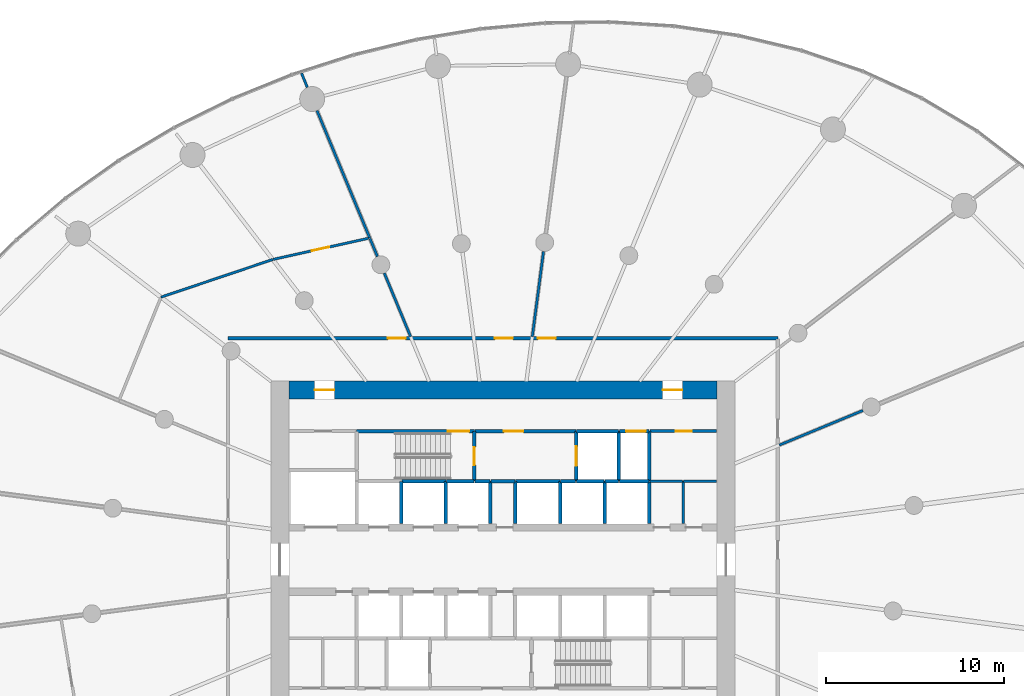
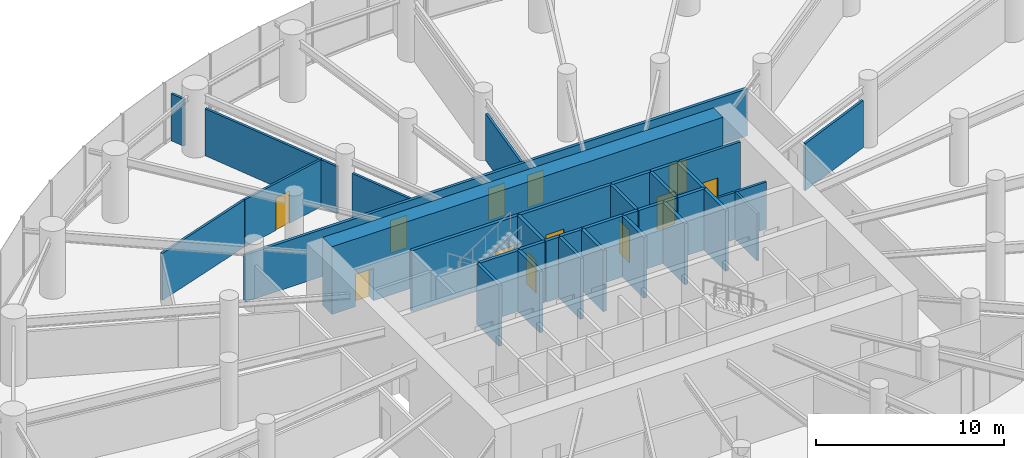
# One storey, part 14 of 18: 38 walls, 12 doors, 12 openings.
"""IFC4 building model written with IfcOpenShell, lengths in metres."""

import ifcopenshell
import ifcopenshell.guid

model = None  # the IFC model being written
_history = None  # IfcOwnerHistory: only IFC2X3 demands one
_inside = {}  # id of a spatial element -> (the spatial element, [elements in it])
_under = {}  # id of a project, library or spatial element -> (it, [spatial elements below it])
_declared = {}  # id of a project -> (the project, [libraries it declares])
_typed = {}  # id of a type object -> (the type object, [elements of that type])
_made_of = {}  # id of a material, layer set ... -> (it, [elements and type objects made of it])


def new_model(schema):
    """Start an empty IFC model of exactly this schema.

    Asked for "IFC4X3", IfcOpenShell would pick the latest addendum, in which some entities
    have other attributes; the version numbers below select the first issue.
    IFC2X3 requires an IfcOwnerHistory on every rooted entity: one is made here for all.
    """
    global model, _history
    if schema == "IFC4X3":
        model = ifcopenshell.file(schema_version=(4, 3, 0, 0))
    else:
        model = ifcopenshell.file(schema=schema)
    _inside.clear()
    _under.clear()
    _declared.clear()
    _typed.clear()
    _made_of.clear()
    _history = None
    if model.schema == "IFC2X3":
        org = make("IfcOrganization", Name="unknown")
        user = make(
            "IfcPersonAndOrganization",
            ThePerson=make("IfcPerson", FamilyName="unknown"),
            TheOrganization=org,
        )
        app = make(
            "IfcApplication",
            ApplicationDeveloper=org,
            Version="unknown",
            ApplicationFullName="unknown",
            ApplicationIdentifier="unknown",
        )
        _history = make(
            "IfcOwnerHistory",
            OwningUser=user,
            OwningApplication=app,
            ChangeAction="ADDED",
            CreationDate=0,
        )
    return model


def make(cls, **values):
    """One entity of the class cls with the attributes given. An attribute that is None is left unset."""
    return model.create_entity(
        cls, **{name: value for name, value in values.items() if value is not None}
    )


def rooted(cls, **values):
    """An entity with a GlobalId (a new one), such as an element, a storey or a relation."""
    return make(cls, GlobalId=ifcopenshell.guid.new(), OwnerHistory=_history, **values)


def si_unit(unit_type, name, prefix=None):
    """IfcSIUnit, for example si_unit("LENGTHUNIT", "METRE", prefix="MILLI")."""
    return make("IfcSIUnit", UnitType=unit_type, Prefix=prefix, Name=name)


def assignment(units):
    """IfcUnitAssignment: the units of a project."""
    return None if units is None else make("IfcUnitAssignment", Units=units)


def point(xyz):
    """IfcCartesianPoint."""
    return None if xyz is None else make("IfcCartesianPoint", Coordinates=xyz)


def direction(xyz):
    """IfcDirection."""
    return None if xyz is None else make("IfcDirection", DirectionRatios=xyz)


def frame(location, z_axis=None, x_axis=None):
    """IfcAxis2Placement3D, a coordinate frame: its origin and axes. An axis left out is left unset."""
    return make(
        "IfcAxis2Placement3D",
        Location=point(location),
        Axis=direction(z_axis),
        RefDirection=direction(x_axis),
    )


def frame_2d(location, x_axis=None):
    """IfcAxis2Placement2D, a coordinate frame in the plane: its origin and x axis."""
    return make(
        "IfcAxis2Placement2D", Location=point(location), RefDirection=direction(x_axis)
    )


def origin():
    """The frame at (0, 0, 0) with its axes left unset."""
    return frame((0.0, 0.0, 0.0))


def place(relative_to, where):
    """IfcLocalPlacement: puts the frame where relative to a parent placement (None: the world)."""
    return make(
        "IfcLocalPlacement", PlacementRelTo=relative_to, RelativePlacement=where
    )


def context(
    kind, dimensions, precision=None, world=None, true_north=None, identifier=None
):
    """IfcGeometricRepresentationContext, for example the 3D "Model" context."""
    return make(
        "IfcGeometricRepresentationContext",
        ContextIdentifier=identifier,
        ContextType=kind,
        CoordinateSpaceDimension=dimensions,
        Precision=precision,
        WorldCoordinateSystem=world,
        TrueNorth=true_north,
    )


def subcontext(parent, identifier, kind, view, scale=None):
    """IfcGeometricRepresentationSubContext, for example "Body" below "Model"."""
    return make(
        "IfcGeometricRepresentationSubContext",
        ContextIdentifier=identifier,
        ContextType=kind,
        ParentContext=parent,
        TargetScale=scale,
        TargetView=view,
    )


def project(units=None, contexts=None):
    """IfcProject with its units and contexts."""
    return rooted(
        "IfcProject",
        Name="project",
        RepresentationContexts=contexts,
        UnitsInContext=assignment(units),
    )


def spatial(cls, under=None, at=None, **own):
    """A site, building, storey or space (cls), placed at a placement, below another one or the project."""
    s = rooted(cls, ObjectPlacement=at, **own)
    if under is not None:
        _under.setdefault(under.id(), (under, []))[1].append(s)
    return s


def profile(cls, at=None, kind="AREA", **sizes):
    """A parametric profile (cls). Its sizes go by their IFC names, for example OverallWidth=200.0."""
    return make(cls, ProfileType=kind, Position=at, **sizes)


def rectangle(**sizes):
    """IfcRectangleProfileDef."""
    return profile("IfcRectangleProfileDef", **sizes)


def extrude(swept, where, along, depth):
    """IfcExtrudedAreaSolid: the profile swept, set in the frame where, extruded along a direction by depth."""
    return make(
        "IfcExtrudedAreaSolid",
        SweptArea=swept,
        Position=where,
        ExtrudedDirection=direction(along),
        Depth=depth,
    )


def shape(context_of_items, identifier, shape_type, items):
    """IfcShapeRepresentation: the items that make up one representation, for example the "Body"."""
    return make(
        "IfcShapeRepresentation",
        ContextOfItems=context_of_items,
        RepresentationIdentifier=identifier,
        RepresentationType=shape_type,
        Items=items,
    )


def source(mapping_origin, context_of_items, identifier, shape_type, items):
    """IfcRepresentationMap: a shape defined once, which mapped items show again and again."""
    return make(
        "IfcRepresentationMap",
        MappingOrigin=mapping_origin,
        MappedRepresentation=shape(context_of_items, identifier, shape_type, items),
    )


def transform(
    local_origin,
    x_axis=None,
    y_axis=None,
    z_axis=None,
    scale=None,
    scale2=None,
    scale3=None,
    uniform=True,
):
    """IfcCartesianTransformationOperator3D, or its non-uniform kind. x_axis, y_axis, z_axis: its Axis1, 2, 3."""
    if uniform:
        return make(
            "IfcCartesianTransformationOperator3D",
            Axis1=direction(x_axis),
            Axis2=direction(y_axis),
            LocalOrigin=point(local_origin),
            Scale=scale,
            Axis3=direction(z_axis),
        )
    return make(
        "IfcCartesianTransformationOperator3DnonUniform",
        Axis1=direction(x_axis),
        Axis2=direction(y_axis),
        LocalOrigin=point(local_origin),
        Scale=scale,
        Axis3=direction(z_axis),
        Scale2=scale2,
        Scale3=scale3,
    )


def mapped(mapping_source, mapping_target):
    """IfcMappedItem: shows the shape of a source again, moved by a transform."""
    return make(
        "IfcMappedItem", MappingSource=mapping_source, MappingTarget=mapping_target
    )


def material(Name=None, Category=None):
    """IfcMaterial."""
    return make("IfcMaterial", Name=Name, Category=Category)


def layer(
    of_material, thickness, ventilated=None, Name=None, Category=None, Priority=None
):
    """IfcMaterialLayer: one layer of a wall or slab, of a material (None: an air gap)."""
    return make(
        "IfcMaterialLayer",
        Material=of_material,
        LayerThickness=thickness,
        IsVentilated=ventilated,
        Name=Name,
        Category=Category,
        Priority=Priority,
    )


def layer_set(layers, Name=None):
    """IfcMaterialLayerSet."""
    return make("IfcMaterialLayerSet", MaterialLayers=layers, LayerSetName=Name)


def made_of(thing, what):
    """Note that an element or type object is made of a material, layer set ...; save() writes the relation."""
    if what is not None:
        _made_of.setdefault(what.id(), (what, []))[1].append(thing)
    return thing


def type_object(cls, material=None, **own):
    """A type object (cls), such as IfcWallType, which elements share."""
    return made_of(rooted(cls, **own), material)


def element(
    cls,
    number,
    at=None,
    inside=None,
    cuts=None,
    type_object=None,
    material=None,
    context=None,
    identifier="Body",
    shape_type=None,
    held_by="IfcProductDefinitionShape",
    body=None,
    shapes=None,
    **own,
):
    """One element of the class cls, such as IfcWall. Its Tag is "e" and its number.

    at: its placement. inside: the storey or other place that contains it. cuts: it is an
    opening in that element (IfcRelVoidsElement). A single representation is given by context,
    identifier, shape_type and body (its items); several are given by shapes. held_by: the class
    of the entity that holds the representations. save() writes the other relations.
    """
    e = rooted(cls, Tag="e%d" % number, ObjectPlacement=at, **own)
    if body is not None:
        shapes = [shape(context, identifier, shape_type, body)]
    if shapes is not None:
        e.Representation = make(held_by, Representations=shapes)
    if inside is not None:
        _inside.setdefault(inside.id(), (inside, []))[1].append(e)
    if cuts is not None:
        rooted(
            "IfcRelVoidsElement", RelatingBuildingElement=cuts, RelatedOpeningElement=e
        )
    if type_object is not None:
        _typed.setdefault(type_object.id(), (type_object, []))[1].append(e)
    return made_of(e, material)


def fill(opening, filler):
    """IfcRelFillsElement: the door or window that sits in an opening."""
    return rooted(
        "IfcRelFillsElement",
        RelatingOpeningElement=opening,
        RelatedBuildingElement=filler,
    )


def aggregate(whole, parts):
    """IfcRelAggregates: a whole, such as a stair, and the parts it consists of."""
    return rooted("IfcRelAggregates", RelatingObject=whole, RelatedObjects=parts)


def save(model, path):
    """Write the relations noted so far, then the file.

    IfcRelAggregates (storeys below a building ...), IfcRelContainedInSpatialStructure (elements
    in a storey), IfcRelDefinesByType, IfcRelAssociatesMaterial and IfcRelDeclares: one each for
    every whole, place, type object, material and project.
    """
    for whole, parts in _under.values():
        aggregate(whole, parts)
    for where, things in _inside.values():
        rooted(
            "IfcRelContainedInSpatialStructure",
            RelatedElements=things,
            RelatingStructure=where,
        )
    for kind, things in _typed.values():
        rooted("IfcRelDefinesByType", RelatedObjects=things, RelatingType=kind)
    for what, things in _made_of.values():
        rooted("IfcRelAssociatesMaterial", RelatedObjects=things, RelatingMaterial=what)
    for by, libraries in _declared.values():
        rooted("IfcRelDeclares", RelatingContext=by, RelatedDefinitions=libraries)
    model.write(path)


model = new_model("IFC4")

# Units and contexts
model_context = context("Model", 3, precision=1e-05, world=origin(), true_north=direction((0.0, 1.0)))
body_context = subcontext(model_context, "Body", "Model", "MODEL_VIEW")
ifc_project = project(units=[si_unit("LENGTHUNIT", "METRE"), si_unit("AREAUNIT", "SQUARE_METRE"), si_unit("VOLUMEUNIT", "CUBIC_METRE"), si_unit("PLANEANGLEUNIT", "RADIAN"), si_unit("MASSUNIT", "GRAM", prefix="KILO")], contexts=[model_context])

# Site, building, storey
site_placement = place(None, origin())
site = spatial("IfcSite", under=ifc_project, at=site_placement, CompositionType="ELEMENT")
building_placement = place(site_placement, origin())
building = spatial("IfcBuilding", under=site, at=building_placement, Name="Spindrift Exchange Tower", CompositionType="ELEMENT")
storey_placement = place(building_placement, frame((0.0, 0.0, 66.60009765625)))
storey = spatial("IfcBuildingStorey", under=building, at=storey_placement, Name="L15", CompositionType="ELEMENT", Elevation=66.60009765625)

# Wall, openings, doors
ifc_material_1 = material(Name="Concrete 80 MPa", Category="concrete")
ifc_layer_1 = layer(ifc_material_1, 1.0)
ifc_layer_set_1 = layer_set([ifc_layer_1], Name="RC Core Wall 1000 Concrete 80 MPa")
wall_type_1 = type_object("IfcWallType", Name="RC Core Wall 1000 Concrete 80 MPa", PredefinedType="SHEAR", material=ifc_layer_set_1)
wall_1_placement = place(storey_placement, frame((64.0, 57.5, 0.0), z_axis=(0.0, 0.0, 1.0), x_axis=(-1.0, 0.0, 0.0)))
wall_1 = element("IfcWall", 1, at=wall_1_placement, inside=storey, type_object=wall_type_1, Name="Core wall N L15", PredefinedType="SHEAR", context=body_context, shape_type="SweptSolid", body=[
    extrude(rectangle(XDim=24.0, YDim=1.0, at=frame_2d((12.0, 0.0))), origin(), (0.0, 0.0, 1.0), 4.39990234375),
])
opening_1_placement = place(wall_1_placement, frame((21.449951171875, 0.0, 0.0)))
opening_1 = element("IfcOpeningElement", 2, at=opening_1_placement, cuts=wall_1, Name="Opening L15-D20", PredefinedType="OPENING", context=body_context, shape_type="SweptSolid", body=[
    extrude(rectangle(XDim=1.10009765625, YDim=2.10009765625, at=frame_2d((0.550048828125, 1.050048828125))), frame((0.0, 0.510009765625, 0.0), z_axis=(0.0, -1.0, 0.0), x_axis=(1.0, 0.0, 0.0)), (0.0, 0.0, 1.0), 1.02001953125),
])
opening_2_placement = place(wall_1_placement, frame((1.949951171875, 0.0, 0.0)))
opening_2 = element("IfcOpeningElement", 3, at=opening_2_placement, cuts=wall_1, Name="Opening L15-D21", PredefinedType="OPENING", context=body_context, shape_type="SweptSolid", body=[
    extrude(rectangle(XDim=1.10009765625, YDim=2.10009765625, at=frame_2d((0.550048828125, 1.050048828125))), frame((0.0, 0.510009765625, 0.0), z_axis=(0.0, -1.0, 0.0), x_axis=(1.0, 0.0, 0.0)), (0.0, 0.0, 1.0), 1.02001953125),
])
ifc_material_2 = material(Name="Steel fire door", Category="steel")
door_type_1 = type_object("IfcDoorType", Name="DR-STAIR-1100", OperationType="NOTDEFINED", PredefinedType="DOOR", material=ifc_material_2)
shared_shape_1 = source(origin(), body_context, "Body", "SweptSolid", [
    extrude(rectangle(XDim=1.10009765625, YDim=2.10009765625, at=frame_2d((0.550048828125, 1.050048828125))), frame((0.0, 0.02490234375, 0.0), z_axis=(0.0, -1.0, 0.0), x_axis=(1.0, 0.0, 0.0)), (0.0, 0.0, 1.0), 0.050048828125),
])
door_1_placement = place(opening_1_placement, origin())
door_1 = element("IfcDoor", 4, at=door_1_placement, inside=storey, type_object=door_type_1, Name="L15 Stair door 20", OperationType="SINGLE_SWING_RIGHT", OverallHeight=2.10009765625, OverallWidth=1.10009765625, PredefinedType="DOOR", context=body_context, shape_type="MappedRepresentation", body=[
    mapped(shared_shape_1, transform((0.0, 0.0, 0.0), scale=1.0)),
])
fill(opening_1, door_1)
door_2_placement = place(opening_2_placement, origin())
door_2 = element("IfcDoor", 5, at=door_2_placement, inside=storey, type_object=door_type_1, Name="L15 Stair door 21", OperationType="SINGLE_SWING_LEFT", OverallHeight=2.10009765625, OverallWidth=1.10009765625, PredefinedType="DOOR", context=body_context, shape_type="MappedRepresentation", body=[
    mapped(shared_shape_1, transform((0.0, 0.0, 0.0), scale=1.0)),
])
fill(opening_2, door_2)

# Wall, opening, door
ifc_material_3 = material(Name="Fire-rated plasterboard partition", Category="gypsum")
ifc_layer_2 = layer(ifc_material_3, 0.179931640625)
ifc_layer_set_2 = layer_set([ifc_layer_2], Name="W-CORR-180")
wall_type_2 = type_object("IfcWallType", Name="W-CORR-180", PredefinedType="PARTITIONING", material=ifc_layer_set_2)
wall_2_placement = place(storey_placement, frame((63.97998046875, 55.199951171875, 0.0), z_axis=(0.0, 0.0, 1.0), x_axis=(-1.0, 0.0, 0.0)))
wall_2 = element("IfcWall", 6, at=wall_2_placement, inside=storey, type_object=wall_type_2, Name="L15 Partition wall 64", PredefinedType="PARTITIONING", context=body_context, shape_type="SweptSolid", body=[
    extrude(rectangle(XDim=3.75, YDim=0.179931640625, at=frame_2d((1.875, 0.0))), origin(), (0.0, 0.0, 1.0), 3.949951171875),
])
opening_3_placement = place(wall_2_placement, frame((1.39990234375, 0.0, 0.0)))
opening_3 = element("IfcOpeningElement", 7, at=opening_3_placement, cuts=wall_2, Name="Opening L15-D51", PredefinedType="OPENING", context=body_context, shape_type="SweptSolid", body=[
    extrude(rectangle(XDim=0.89990234375, YDim=2.10009765625, at=frame_2d((0.449951171875, 1.050048828125))), frame((0.0, 0.099853515625, 0.0), z_axis=(0.0, -1.0, 0.0), x_axis=(1.0, 0.0, 0.0)), (0.0, 0.0, 1.0), 0.199951171875),
])
ifc_material_4 = material(Name="Steel access door", Category="steel")
door_type_2 = type_object("IfcDoorType", Name="DR-RISER-900", OperationType="NOTDEFINED", PredefinedType="DOOR", material=ifc_material_4)
shared_shape_2 = source(origin(), body_context, "Body", "SweptSolid", [
    extrude(rectangle(XDim=0.89990234375, YDim=2.10009765625, at=frame_2d((0.449951171875, 1.050048828125))), frame((0.0, 0.02490234375, 0.0), z_axis=(0.0, -1.0, 0.0), x_axis=(1.0, 0.0, 0.0)), (0.0, 0.0, 1.0), 0.050048828125),
])
door_3_placement = place(opening_3_placement, origin())
door_3 = element("IfcDoor", 8, at=door_3_placement, inside=storey, type_object=door_type_2, Name="L15 Riser door 51", OperationType="SINGLE_SWING_LEFT", OverallHeight=2.10009765625, OverallWidth=0.89990234375, PredefinedType="DOOR", context=body_context, shape_type="MappedRepresentation", body=[
    mapped(shared_shape_2, transform((0.0, 0.0, 0.0), scale=1.0)),
])
fill(opening_3, door_3)

# Walls
ifc_layer_3 = layer(ifc_material_3, 0.139892578125)
ifc_layer_set_3 = layer_set([ifc_layer_3], Name="W-PART-140")
wall_type_3 = type_object("IfcWallType", Name="W-PART-140", PredefinedType="PARTITIONING", material=ifc_layer_set_3)
wall_3_placement = place(storey_placement, frame((44.53564453125, 66.0205078125, 0.0), z_axis=(0.0, 0.0, 1.0), x_axis=(-0.382675586032, 0.92388278253, 0.0)))
element("IfcWall", 9, at=wall_3_placement, inside=storey, type_object=wall_type_3, Name="L15 Partition wall 73", PredefinedType="PARTITIONING", context=body_context, shape_type="SweptSolid", body=[
    extrude(rectangle(XDim=7.724609375, YDim=0.139892578125, at=frame_2d((3.8623046875, 0.0))), origin(), (0.0, 0.0, 1.0), 3.0498046875),
])
wall_4_placement = place(storey_placement, frame((67.489990234375, 54.416259765625, 0.0), z_axis=(0.0, 0.0, 1.0), x_axis=(0.923890025086, 0.382658100067, 0.0)))
element("IfcWall", 10, at=wall_4_placement, inside=storey, type_object=wall_type_3, Name="L15 Partition wall 93", PredefinedType="PARTITIONING", context=body_context, shape_type="SweptSolid", body=[
    extrude(rectangle(XDim=5.068359375, YDim=0.139892578125, at=frame_2d((2.5341796875, 0.0))), origin(), (0.0, 0.0, 1.0), 3.0498046875),
])
wall_5_placement = place(storey_placement, frame((53.644287109375, 60.489990234375, 0.0), z_axis=(0.0, 0.0, 1.0), x_axis=(0.130523979823, 0.991445152639, 0.0)))
element("IfcWall", 11, at=wall_5_placement, inside=storey, type_object=wall_type_3, Name="L15 Partition wall 95", PredefinedType="PARTITIONING", context=body_context, shape_type="SweptSolid", body=[
    extrude(rectangle(XDim=4.818359375, YDim=0.139892578125, at=frame_2d((2.4091796875, 0.0))), origin(), (0.0, 0.0, 1.0), 3.0498046875),
])
wall_6_placement = place(storey_placement, frame((62.10009765625, 50.010009765625, 0.0), z_axis=(0.0, 0.0, 1.0), x_axis=(0.0, 1.0, 0.0)))
element("IfcWall", 12, at=wall_6_placement, inside=storey, type_object=wall_type_3, Name="L15 Partition wall 107", PredefinedType="PARTITIONING", context=body_context, shape_type="SweptSolid", body=[
    extrude(rectangle(XDim=2.389892578125, YDim=0.139892578125, at=frame_2d((1.19482421875, 0.0))), origin(), (0.0, 0.0, 1.0), 3.0498046875),
])
wall_7_placement = place(storey_placement, frame((62.070068359375, 52.39990234375, 0.0), z_axis=(0.0, 0.0, 1.0), x_axis=(-1.0, 0.0, 0.0)))
element("IfcWall", 13, at=wall_7_placement, inside=storey, type_object=wall_type_3, Name="L15 Partition wall 114", PredefinedType="PARTITIONING", context=body_context, shape_type="SweptSolid", body=[
    extrude(rectangle(XDim=1.840087890625, YDim=0.139892578125, at=frame_2d((0.919921875, 0.0))), origin(), (0.0, 0.0, 1.0), 3.0498046875),
])
wall_8_placement = place(storey_placement, frame((63.97998046875, 52.39990234375, 0.0), z_axis=(0.0, 0.0, 1.0), x_axis=(-1.0, 0.0, 0.0)))
element("IfcWall", 14, at=wall_8_placement, inside=storey, type_object=wall_type_3, Name="L15 Partition wall 117", PredefinedType="PARTITIONING", context=body_context, shape_type="SweptSolid", body=[
    extrude(rectangle(XDim=1.85009765625, YDim=0.139892578125, at=frame_2d((0.925048828125, 0.0))), origin(), (0.0, 0.0, 1.0), 3.0498046875),
])
wall_9_placement = place(storey_placement, frame((41.039794921875, 74.4599609375, 0.0), z_axis=(0.0, 0.0, 1.0), x_axis=(-0.382660776335, 0.923888916621, 0.0)))
element("IfcWall", 15, at=wall_9_placement, inside=storey, type_object=wall_type_3, Name="L15 Partition wall 129", PredefinedType="PARTITIONING", context=body_context, shape_type="SweptSolid", body=[
    extrude(rectangle(XDim=0.860595703125, YDim=0.139892578125, at=frame_2d((0.43017578125, 0.0))), origin(), (0.0, 0.0, 1.0), 3.0498046875),
])
ifc_layer_4 = layer(ifc_material_3, 0.139892578125)
ifc_layer_set_4 = layer_set([ifc_layer_4], Name="W-PLANT-140")
wall_type_4 = type_object("IfcWallType", Name="W-PLANT-140", PredefinedType="PARTITIONING", material=ifc_layer_set_4)
wall_10_placement = place(storey_placement, frame((39.09765625, 64.814697265625, 0.0), z_axis=(0.0, 0.0, 1.0), x_axis=(-0.947628643264, -0.319374317166, 0.0)))
element("IfcWall", 16, at=wall_10_placement, inside=storey, type_object=wall_type_4, Name="L15 Partition wall 79", PredefinedType="PARTITIONING", context=body_context, shape_type="SweptSolid", body=[
    extrude(rectangle(XDim=6.60693359375, YDim=0.139892578125, at=frame_2d((3.303466796875, 0.0))), origin(), (0.0, 0.0, 1.0), 3.0498046875),
])

# Wall, opening, door
wall_11_placement = place(storey_placement, frame((39.126953125, 64.8212890625, 0.0), z_axis=(0.0, 0.0, 1.0), x_axis=(0.976281499716, 0.216505042232, 0.0)))
wall_11 = element("IfcWall", 17, at=wall_11_placement, inside=storey, type_object=wall_type_4, Name="L15 Partition wall 90", PredefinedType="PARTITIONING", context=body_context, shape_type="SweptSolid", body=[
    extrude(rectangle(XDim=5.468994140625, YDim=0.139892578125, at=frame_2d((2.734375, 0.0))), origin(), (0.0, 0.0, 1.0), 3.0498046875),
])
opening_4_placement = place(wall_11_placement, frame((2.218994140625, 0.0, 0.0)))
opening_4 = element("IfcOpeningElement", 18, at=opening_4_placement, cuts=wall_11, Name="Opening L15-D33", PredefinedType="OPENING", context=body_context, shape_type="SweptSolid", body=[
    extrude(rectangle(XDim=1.0, YDim=2.10009765625, at=frame_2d((0.5, 1.050048828125))), frame((0.0, 0.079833984375, 0.0), z_axis=(0.0, -1.0, 0.0), x_axis=(1.0, 0.0, 0.0)), (0.0, 0.0, 1.0), 0.159912109375),
])
ifc_material_5 = material(Name="Timber-core fire door", Category="wood")
door_type_3 = type_object("IfcDoorType", Name="DR-ROOM-1000", OperationType="NOTDEFINED", PredefinedType="DOOR", material=ifc_material_5)
shared_shape_3 = source(origin(), body_context, "Body", "SweptSolid", [
    extrude(rectangle(XDim=1.0, YDim=2.10009765625, at=frame_2d((0.5, 1.050048828125))), frame((0.0, 0.02490234375, 0.0), z_axis=(0.0, -1.0, 0.0), x_axis=(1.0, 0.0, 0.0)), (0.0, 0.0, 1.0), 0.050048828125),
])
door_4_placement = place(opening_4_placement, origin())
door_4 = element("IfcDoor", 19, at=door_4_placement, inside=storey, type_object=door_type_3, Name="L15 Door 33", OperationType="SINGLE_SWING_LEFT", OverallHeight=2.10009765625, OverallWidth=1.0, PredefinedType="DOOR", context=body_context, shape_type="MappedRepresentation", body=[
    mapped(shared_shape_3, transform((0.0, 0.0, 0.0), scale=1.0)),
])
fill(opening_4, door_4)

# Walls
wall_12_placement = place(storey_placement, frame((46.826416015625, 60.489990234375, 0.0), z_axis=(0.0, 0.0, 1.0), x_axis=(-0.382644558062, 0.923895633817, 0.0)))
element("IfcWall", 20, at=wall_12_placement, inside=storey, type_object=wall_type_4, Name="L15 Partition wall 99", PredefinedType="PARTITIONING", context=body_context, shape_type="SweptSolid", body=[
    extrude(rectangle(XDim=3.854248046875, YDim=0.139892578125, at=frame_2d((1.92724609375, 0.0))), origin(), (0.0, 0.0, 1.0), 3.0498046875),
])
wall_13_placement = place(storey_placement, frame((44.965087890625, 64.984130859375, 0.0), z_axis=(0.0, 0.0, 1.0), x_axis=(-0.382773041214, 0.923842410219, 0.0)))
element("IfcWall", 21, at=wall_13_placement, inside=storey, type_object=wall_type_4, Name="L15 Partition wall 124", PredefinedType="PARTITIONING", context=body_context, shape_type="SweptSolid", body=[
    extrude(rectangle(XDim=1.092041015625, YDim=0.139892578125, at=frame_2d((0.5458984375, 0.0))), origin(), (0.0, 0.0, 1.0), 3.0498046875),
])

# Wall, openings, doors
ifc_layer_5 = layer(ifc_material_3, 0.179931640625)
ifc_layer_set_5 = layer_set([ifc_layer_5], Name="W-PLANT-180")
wall_type_5 = type_object("IfcWallType", Name="W-PLANT-180", PredefinedType="PARTITIONING", material=ifc_layer_set_5)
wall_14_placement = place(storey_placement, frame((36.60009765625, 60.39990234375, 0.0), z_axis=(0.0, 0.0, 1.0), x_axis=(1.0, 0.0, 0.0)))
wall_14 = element("IfcWall", 22, at=wall_14_placement, inside=storey, type_object=wall_type_5, Name="L15 Partition wall 58", PredefinedType="PARTITIONING", context=body_context, shape_type="SweptSolid", body=[
    extrude(rectangle(XDim=30.7998046875, YDim=0.179931640625, at=frame_2d((15.39990234375, 0.0))), origin(), (0.0, 0.0, 1.0), 3.0498046875),
])
opening_5_placement = place(wall_14_placement, frame((17.35009765625, 0.0, 0.0)))
opening_5 = element("IfcOpeningElement", 23, at=opening_5_placement, cuts=wall_14, Name="Opening L15-D30", PredefinedType="OPENING", context=body_context, shape_type="SweptSolid", body=[
    extrude(rectangle(XDim=1.0, YDim=2.10009765625, at=frame_2d((0.5, 1.050048828125))), frame((0.0, 0.099853515625, 0.0), z_axis=(0.0, -1.0, 0.0), x_axis=(1.0, 0.0, 0.0)), (0.0, 0.0, 1.0), 0.199951171875),
])
opening_6_placement = place(wall_14_placement, frame((14.949951171875, 0.0, 0.0)))
opening_6 = element("IfcOpeningElement", 24, at=opening_6_placement, cuts=wall_14, Name="Opening L15-D31", PredefinedType="OPENING", context=body_context, shape_type="SweptSolid", body=[
    extrude(rectangle(XDim=1.0, YDim=2.10009765625, at=frame_2d((0.5, 1.050048828125))), frame((0.0, 0.099853515625, 0.0), z_axis=(0.0, -1.0, 0.0), x_axis=(1.0, 0.0, 0.0)), (0.0, 0.0, 1.0), 0.199951171875),
])
opening_7_placement = place(wall_14_placement, frame((8.949951171875, 0.0, 0.0)))
opening_7 = element("IfcOpeningElement", 25, at=opening_7_placement, cuts=wall_14, Name="Opening L15-D32", PredefinedType="OPENING", context=body_context, shape_type="SweptSolid", body=[
    extrude(rectangle(XDim=1.0, YDim=2.10009765625, at=frame_2d((0.5, 1.050048828125))), frame((0.0, 0.099853515625, 0.0), z_axis=(0.0, -1.0, 0.0), x_axis=(1.0, 0.0, 0.0)), (0.0, 0.0, 1.0), 0.199951171875),
])
door_5_placement = place(opening_5_placement, origin())
door_5 = element("IfcDoor", 26, at=door_5_placement, inside=storey, type_object=door_type_3, Name="L15 Door 30", OperationType="SINGLE_SWING_RIGHT", OverallHeight=2.10009765625, OverallWidth=1.0, PredefinedType="DOOR", context=body_context, shape_type="MappedRepresentation", body=[
    mapped(shared_shape_3, transform((0.0, 0.0, 0.0), scale=1.0)),
])
fill(opening_5, door_5)
door_6_placement = place(opening_6_placement, origin())
door_6 = element("IfcDoor", 27, at=door_6_placement, inside=storey, type_object=door_type_3, Name="L15 Door 31", OperationType="SINGLE_SWING_LEFT", OverallHeight=2.10009765625, OverallWidth=1.0, PredefinedType="DOOR", context=body_context, shape_type="MappedRepresentation", body=[
    mapped(shared_shape_3, transform((0.0, 0.0, 0.0), scale=1.0)),
])
fill(opening_6, door_6)
door_7_placement = place(opening_7_placement, origin())
door_7 = element("IfcDoor", 28, at=door_7_placement, inside=storey, type_object=door_type_3, Name="L15 Door 32", OperationType="SINGLE_SWING_RIGHT", OverallHeight=2.10009765625, OverallWidth=1.0, PredefinedType="DOOR", context=body_context, shape_type="MappedRepresentation", body=[
    mapped(shared_shape_3, transform((0.0, 0.0, 0.0), scale=1.0)),
])
fill(opening_7, door_7)

# Wall, opening, door
ifc_material_6 = material(Name="Concrete 40 MPa", Category="concrete")
ifc_layer_6 = layer(ifc_material_6, 0.199951171875)
ifc_layer_set_6 = layer_set([ifc_layer_6], Name="W-SHAFT-200")
wall_type_6 = type_object("IfcWallType", Name="W-SHAFT-200", PredefinedType="SOLIDWALL", material=ifc_layer_set_6)
wall_15_placement = place(storey_placement, frame((56.10009765625, 55.169921875, 0.0), z_axis=(0.0, 0.0, 1.0), x_axis=(0.0, -1.0, 0.0)))
wall_15 = element("IfcWall", 29, at=wall_15_placement, inside=storey, type_object=wall_type_6, Name="L15 Shaft wall 12", PredefinedType="SOLIDWALL", context=body_context, shape_type="SweptSolid", body=[
    extrude(rectangle(XDim=2.77001953125, YDim=0.199951171875, at=frame_2d((1.385009765625, 0.0))), origin(), (0.0, 0.0, 1.0), 3.949951171875),
])
opening_8_placement = place(wall_15_placement, frame((0.820068359375, 0.0, 0.0)))
opening_8 = element("IfcOpeningElement", 30, at=opening_8_placement, cuts=wall_15, Name="Opening L15-D9", PredefinedType="OPENING", context=body_context, shape_type="SweptSolid", body=[
    extrude(rectangle(XDim=1.10009765625, YDim=2.10009765625, at=frame_2d((0.550048828125, 1.050048828125))), frame((0.0, 0.10986328125, 0.0), z_axis=(0.0, -1.0, 0.0), x_axis=(1.0, 0.0, 0.0)), (0.0, 0.0, 1.0), 0.219970703125),
])
ifc_material_7 = material(Name="Stainless steel landing door", Category="steel")
door_type_4 = type_object("IfcDoorType", Name="DR-LANDING-1100-SL", OperationType="DOUBLE_DOOR_SLIDING", PredefinedType="USERDEFINED", material=ifc_material_7)
shared_shape_4 = source(origin(), body_context, "Body", "SweptSolid", [
    extrude(rectangle(XDim=1.10009765625, YDim=2.10009765625, at=frame_2d((0.550048828125, 1.050048828125))), frame((0.0, 0.02490234375, 0.0), z_axis=(0.0, -1.0, 0.0), x_axis=(1.0, 0.0, 0.0)), (0.0, 0.0, 1.0), 0.050048828125),
])
door_8_placement = place(opening_8_placement, origin())
door_8 = element("IfcDoor", 31, at=door_8_placement, inside=storey, type_object=door_type_4, Name="L15 Lift landing door 9", ObjectType="LANDING DOOR", OperationType="DOUBLE_DOOR_SLIDING", OverallHeight=2.10009765625, OverallWidth=1.10009765625, PredefinedType="USERDEFINED", context=body_context, shape_type="MappedRepresentation", body=[
    mapped(shared_shape_4, transform((0.0, 0.0, 0.0), scale=1.0)),
])
fill(opening_8, door_8)

# Walls
for number, where, z_axis, x_axis, name in (
    (32, (58.5, 52.39990234375, 0.0), (0.0, 0.0, 1.0), (0.0, 1.0, 0.0), "L15 Shaft wall 13"),
    (33, (60.199951171875, 52.39990234375, 0.0), (0.0, 0.0, 1.0), (0.0, 1.0, 0.0), "L15 Shaft wall 14"),
):
    element("IfcWall", number, at=place(storey_placement, frame(where, z_axis=z_axis, x_axis=x_axis)), inside=storey, type_object=wall_type_6, Name=name, PredefinedType="SOLIDWALL", context=body_context, shape_type="SweptSolid", body=[
        extrude(rectangle(XDim=2.800048828125, YDim=0.199951171875, at=frame_2d((1.39990234375, 0.0))), origin(), (0.0, 0.0, 1.0), 3.949951171875),
    ])
wall_16_placement = place(storey_placement, frame((55.199951171875, 52.39990234375, 0.0), z_axis=(0.0, 0.0, 1.0), x_axis=(-1.0, 0.0, 0.0)))
element("IfcWall", 34, at=wall_16_placement, inside=storey, type_object=wall_type_6, Name="L15 Shaft wall 18", PredefinedType="SOLIDWALL", context=body_context, shape_type="SweptSolid", body=[
    extrude(rectangle(XDim=2.5, YDim=0.199951171875, at=frame_2d((1.25, 0.0))), origin(), (0.0, 0.0, 1.0), 3.949951171875),
])
wall_17_placement = place(storey_placement, frame((58.469970703125, 55.199951171875, 0.0), z_axis=(0.0, 0.0, 1.0), x_axis=(-1.0, 0.0, 0.0)))
element("IfcWall", 35, at=wall_17_placement, inside=storey, type_object=wall_type_6, Name="L15 Shaft wall 22", PredefinedType="SOLIDWALL", context=body_context, shape_type="SweptSolid", body=[
    extrude(rectangle(XDim=2.340087890625, YDim=0.199951171875, at=frame_2d((1.169921875, 0.0))), origin(), (0.0, 0.0, 1.0), 3.949951171875),
])
wall_18_placement = place(storey_placement, frame((51.300048828125, 50.010009765625, 0.0), z_axis=(0.0, 0.0, 1.0), x_axis=(0.0, 1.0, 0.0)))
element("IfcWall", 36, at=wall_18_placement, inside=storey, type_object=wall_type_6, Name="L15 Shaft wall 30", PredefinedType="SOLIDWALL", context=body_context, shape_type="SweptSolid", body=[
    extrude(rectangle(XDim=2.389892578125, YDim=0.199951171875, at=frame_2d((1.19482421875, 0.0))), origin(), (0.0, 0.0, 1.0), 3.949951171875),
])
for number, where, z_axis, x_axis, name in (
    (37, (52.699951171875, 52.3701171875, 0.0), (0.0, 0.0, 1.0), (0.0, -1.0, 0.0), "L15 Shaft wall 32"),
    (38, (55.199951171875, 50.010009765625, 0.0), (0.0, 0.0, 1.0), (0.0, 1.0, 0.0), "L15 Shaft wall 34"),
):
    element("IfcWall", number, at=place(storey_placement, frame(where, z_axis=z_axis, x_axis=x_axis)), inside=storey, type_object=wall_type_6, Name=name, PredefinedType="SOLIDWALL", context=body_context, shape_type="SweptSolid", body=[
        extrude(rectangle(XDim=2.360107421875, YDim=0.199951171875, at=frame_2d((1.18017578125, 0.0))), origin(), (0.0, 0.0, 1.0), 3.949951171875),
    ])
wall_19_placement = place(storey_placement, frame((57.699951171875, 50.010009765625, 0.0), z_axis=(0.0, 0.0, 1.0), x_axis=(0.0, 1.0, 0.0)))
element("IfcWall", 39, at=wall_19_placement, inside=storey, type_object=wall_type_6, Name="L15 Shaft wall 36", PredefinedType="SOLIDWALL", context=body_context, shape_type="SweptSolid", body=[
    extrude(rectangle(XDim=2.389892578125, YDim=0.199951171875, at=frame_2d((1.19482421875, 0.0))), origin(), (0.0, 0.0, 1.0), 3.949951171875),
])
wall_20_placement = place(storey_placement, frame((60.199951171875, 50.010009765625, 0.0), z_axis=(0.0, 0.0, 1.0), x_axis=(0.0, 1.0, 0.0)))
element("IfcWall", 40, at=wall_20_placement, inside=storey, type_object=wall_type_6, Name="L15 Shaft wall 38", PredefinedType="SOLIDWALL", context=body_context, shape_type="SweptSolid", body=[
    extrude(rectangle(XDim=2.360107421875, YDim=0.199951171875, at=frame_2d((1.18017578125, 0.0))), origin(), (0.0, 0.0, 1.0), 3.949951171875),
])
wall_21_placement = place(storey_placement, frame((60.169921875, 52.39990234375, 0.0), z_axis=(0.0, 0.0, 1.0), x_axis=(-1.0, 0.0, 0.0)))
element("IfcWall", 41, at=wall_21_placement, inside=storey, type_object=wall_type_6, Name="L15 Shaft wall 42", PredefinedType="SOLIDWALL", context=body_context, shape_type="SweptSolid", body=[
    extrude(rectangle(XDim=1.639892578125, YDim=0.199951171875, at=frame_2d((0.81982421875, 0.0))), origin(), (0.0, 0.0, 1.0), 3.949951171875),
])

# Wall, opening, door
wall_22_placement = place(storey_placement, frame((60.169921875, 55.199951171875, 0.0), z_axis=(0.0, 0.0, 1.0), x_axis=(-1.0, 0.0, 0.0)))
wall_22 = element("IfcWall", 42, at=wall_22_placement, inside=storey, type_object=wall_type_6, Name="L15 Shaft wall 43", PredefinedType="SOLIDWALL", context=body_context, shape_type="SweptSolid", body=[
    extrude(rectangle(XDim=1.639892578125, YDim=0.199951171875, at=frame_2d((0.81982421875, 0.0))), origin(), (0.0, 0.0, 1.0), 3.949951171875),
])
opening_9_placement = place(wall_22_placement, frame((0.169921875, 0.0, 0.0)))
opening_9 = element("IfcOpeningElement", 43, at=opening_9_placement, cuts=wall_22, Name="Opening L15-D11", PredefinedType="OPENING", context=body_context, shape_type="SweptSolid", body=[
    extrude(rectangle(XDim=1.10009765625, YDim=2.10009765625, at=frame_2d((0.550048828125, 1.050048828125))), frame((0.0, 0.10986328125, 0.0), z_axis=(0.0, -1.0, 0.0), x_axis=(1.0, 0.0, 0.0)), (0.0, 0.0, 1.0), 0.219970703125),
])
door_9_placement = place(opening_9_placement, origin())
door_9 = element("IfcDoor", 44, at=door_9_placement, inside=storey, type_object=door_type_4, Name="L15 Lift landing door 11", ObjectType="LANDING DOOR", OperationType="DOUBLE_DOOR_SLIDING", OverallHeight=2.10009765625, OverallWidth=1.10009765625, PredefinedType="USERDEFINED", context=body_context, shape_type="MappedRepresentation", body=[
    mapped(shared_shape_4, transform((0.0, 0.0, 0.0), scale=1.0)),
])
fill(opening_9, door_9)

# Walls
wall_23_placement = place(storey_placement, frame((57.669921875, 52.39990234375, 0.0), z_axis=(0.0, 0.0, 1.0), x_axis=(-1.0, 0.0, 0.0)))
element("IfcWall", 45, at=wall_23_placement, inside=storey, type_object=wall_type_6, Name="L15 Shaft wall 47", PredefinedType="SOLIDWALL", context=body_context, shape_type="SweptSolid", body=[
    extrude(rectangle(XDim=1.5400390625, YDim=0.199951171875, at=frame_2d((0.77001953125, 0.0))), origin(), (0.0, 0.0, 1.0), 3.949951171875),
])
wall_24_placement = place(storey_placement, frame((51.330078125, 52.39990234375, 0.0), z_axis=(0.0, 0.0, 1.0), x_axis=(1.0, 0.0, 0.0)))
element("IfcWall", 46, at=wall_24_placement, inside=storey, type_object=wall_type_6, Name="L15 Shaft wall 49", PredefinedType="SOLIDWALL", context=body_context, shape_type="SweptSolid", body=[
    extrude(rectangle(XDim=1.33984375, YDim=0.199951171875, at=frame_2d((0.669921875, 0.0))), origin(), (0.0, 0.0, 1.0), 3.949951171875),
])
wall_25_placement = place(storey_placement, frame((56.070068359375, 52.39990234375, 0.0), z_axis=(0.0, 0.0, 1.0), x_axis=(-1.0, 0.0, 0.0)))
element("IfcWall", 47, at=wall_25_placement, inside=storey, type_object=wall_type_6, Name="L15 Shaft wall 53", PredefinedType="SOLIDWALL", context=body_context, shape_type="SweptSolid", body=[
    extrude(rectangle(XDim=0.840087890625, YDim=0.199951171875, at=frame_2d((0.419921875, 0.0))), origin(), (0.0, 0.0, 1.0), 3.949951171875),
])
wall_26_placement = place(storey_placement, frame((58.469970703125, 52.39990234375, 0.0), z_axis=(0.0, 0.0, 1.0), x_axis=(-1.0, 0.0, 0.0)))
element("IfcWall", 48, at=wall_26_placement, inside=storey, type_object=wall_type_6, Name="L15 Shaft wall 55", PredefinedType="SOLIDWALL", context=body_context, shape_type="SweptSolid", body=[
    extrude(rectangle(XDim=0.739990234375, YDim=0.199951171875, at=frame_2d((0.3701171875, 0.0))), origin(), (0.0, 0.0, 1.0), 3.949951171875),
])

# Wall, opening, door
ifc_layer_7 = layer(ifc_material_6, 0.199951171875)
ifc_layer_set_7 = layer_set([ifc_layer_7], Name="W-SHAFT-200-LB")
wall_type_7 = type_object("IfcWallType", Name="W-SHAFT-200-LB", PredefinedType="SOLIDWALL", material=ifc_layer_set_7)
wall_27_placement = place(storey_placement, frame((50.39990234375, 55.199951171875, 0.0), z_axis=(0.0, 0.0, 1.0), x_axis=(-1.0, 0.0, 0.0)))
wall_27 = element("IfcWall", 49, at=wall_27_placement, inside=storey, type_object=wall_type_7, Name="L15 Shaft wall 1", PredefinedType="SOLIDWALL", context=body_context, shape_type="SweptSolid", body=[
    extrude(rectangle(XDim=6.599853515625, YDim=0.199951171875, at=frame_2d((3.2998046875, 0.0))), origin(), (0.0, 0.0, 1.0), 3.949951171875),
])
opening_10_placement = place(wall_27_placement, frame((0.300048828125, 0.0, 0.0)))
opening_10 = element("IfcOpeningElement", 50, at=opening_10_placement, cuts=wall_27, Name="Opening L15-D13", PredefinedType="OPENING", context=body_context, shape_type="SweptSolid", body=[
    extrude(rectangle(XDim=1.199951171875, YDim=2.10009765625, at=frame_2d((0.60009765625, 1.050048828125))), frame((0.0, 0.10986328125, 0.0), z_axis=(0.0, -1.0, 0.0), x_axis=(1.0, 0.0, 0.0)), (0.0, 0.0, 1.0), 0.219970703125),
])
door_type_5 = type_object("IfcDoorType", Name="DR-STAIR-1200", OperationType="NOTDEFINED", PredefinedType="DOOR", material=ifc_material_2)
shared_shape_5 = source(origin(), body_context, "Body", "SweptSolid", [
    extrude(rectangle(XDim=1.199951171875, YDim=2.10009765625, at=frame_2d((0.60009765625, 1.050048828125))), frame((0.0, 0.02490234375, 0.0), z_axis=(0.0, -1.0, 0.0), x_axis=(1.0, 0.0, 0.0)), (0.0, 0.0, 1.0), 0.050048828125),
])
door_10_placement = place(opening_10_placement, origin())
door_10 = element("IfcDoor", 51, at=door_10_placement, inside=storey, type_object=door_type_5, Name="L15 Stair door 13", OperationType="SINGLE_SWING_LEFT", OverallHeight=2.10009765625, OverallWidth=1.199951171875, PredefinedType="DOOR", context=body_context, shape_type="MappedRepresentation", body=[
    mapped(shared_shape_5, transform((0.0, 0.0, 0.0), scale=1.0)),
])
fill(opening_10, door_10)

wall_28_placement = place(storey_placement, frame((56.10009765625, 55.199951171875, 0.0), z_axis=(0.0, 0.0, 1.0), x_axis=(-1.0, 0.0, 0.0)))
wall_28 = element("IfcWall", 52, at=wall_28_placement, inside=storey, type_object=wall_type_7, Name="L15 Shaft wall 4", PredefinedType="SOLIDWALL", context=body_context, shape_type="SweptSolid", body=[
    extrude(rectangle(XDim=5.670166015625, YDim=0.199951171875, at=frame_2d((2.8349609375, 0.0))), origin(), (0.0, 0.0, 1.0), 3.949951171875),
])
opening_11_placement = place(wall_28_placement, frame((2.949951171875, 0.0, 0.0)))
opening_11 = element("IfcOpeningElement", 53, at=opening_11_placement, cuts=wall_28, Name="Opening L15-D15", PredefinedType="OPENING", context=body_context, shape_type="SweptSolid", body=[
    extrude(rectangle(XDim=1.10009765625, YDim=2.10009765625, at=frame_2d((0.550048828125, 1.050048828125))), frame((0.0, 0.10986328125, 0.0), z_axis=(0.0, -1.0, 0.0), x_axis=(1.0, 0.0, 0.0)), (0.0, 0.0, 1.0), 0.219970703125),
])
door_type_6 = type_object("IfcDoorType", Name="DR-LOBBY-1100", OperationType="NOTDEFINED", PredefinedType="DOOR", material=ifc_material_5)
shared_shape_6 = source(origin(), body_context, "Body", "SweptSolid", [
    extrude(rectangle(XDim=1.10009765625, YDim=2.10009765625, at=frame_2d((0.550048828125, 1.050048828125))), frame((0.0, 0.02490234375, 0.0), z_axis=(0.0, -1.0, 0.0), x_axis=(1.0, 0.0, 0.0)), (0.0, 0.0, 1.0), 0.050048828125),
])
door_11_placement = place(opening_11_placement, origin())
door_11 = element("IfcDoor", 54, at=door_11_placement, inside=storey, type_object=door_type_6, Name="L15 Lobby door 15", OperationType="SINGLE_SWING_LEFT", OverallHeight=2.10009765625, OverallWidth=1.10009765625, PredefinedType="DOOR", context=body_context, shape_type="MappedRepresentation", body=[
    mapped(shared_shape_6, transform((0.0, 0.0, 0.0), scale=1.0)),
])
fill(opening_11, door_11)

wall_29_placement = place(storey_placement, frame((50.39990234375, 52.39990234375, 0.0), z_axis=(0.0, 0.0, 1.0), x_axis=(0.0, 1.0, 0.0)))
wall_29 = element("IfcWall", 55, at=wall_29_placement, inside=storey, type_object=wall_type_7, Name="L15 Shaft wall 9", PredefinedType="SOLIDWALL", context=body_context, shape_type="SweptSolid", body=[
    extrude(rectangle(XDim=2.77001953125, YDim=0.199951171875, at=frame_2d((1.385009765625, 0.0))), origin(), (0.0, 0.0, 1.0), 3.949951171875),
])
opening_12_placement = place(wall_29_placement, frame((0.89990234375, 0.0, 0.0)))
opening_12 = element("IfcOpeningElement", 56, at=opening_12_placement, cuts=wall_29, Name="Opening L15-D14", PredefinedType="OPENING", context=body_context, shape_type="SweptSolid", body=[
    extrude(rectangle(XDim=1.0, YDim=2.10009765625, at=frame_2d((0.5, 1.050048828125))), frame((0.0, 0.10986328125, 0.0), z_axis=(0.0, -1.0, 0.0), x_axis=(1.0, 0.0, 0.0)), (0.0, 0.0, 1.0), 0.219970703125),
])
door_type_7 = type_object("IfcDoorType", Name="DR-STAIR-1000", OperationType="NOTDEFINED", PredefinedType="DOOR", material=ifc_material_2)
shared_shape_7 = source(origin(), body_context, "Body", "SweptSolid", [
    extrude(rectangle(XDim=1.0, YDim=2.10009765625, at=frame_2d((0.5, 1.050048828125))), frame((0.0, 0.02490234375, 0.0), z_axis=(0.0, -1.0, 0.0), x_axis=(1.0, 0.0, 0.0)), (0.0, 0.0, 1.0), 0.050048828125),
])
door_12_placement = place(opening_12_placement, origin())
door_12 = element("IfcDoor", 57, at=door_12_placement, inside=storey, type_object=door_type_7, Name="L15 Stair door 14", OperationType="SINGLE_SWING_RIGHT", OverallHeight=2.10009765625, OverallWidth=1.0, PredefinedType="DOOR", context=body_context, shape_type="MappedRepresentation", body=[
    mapped(shared_shape_7, transform((0.0, 0.0, 0.0), scale=1.0)),
])
fill(opening_12, door_12)

# Walls
wall_30_placement = place(storey_placement, frame((48.800048828125, 52.39990234375, 0.0), z_axis=(0.0, 0.0, 1.0), x_axis=(-1.0, 0.0, 0.0)))
element("IfcWall", 58, at=wall_30_placement, inside=storey, type_object=wall_type_7, Name="L15 Shaft wall 16", PredefinedType="SOLIDWALL", context=body_context, shape_type="SweptSolid", body=[
    extrude(rectangle(XDim=2.469970703125, YDim=0.199951171875, at=frame_2d((1.23486328125, 0.0))), origin(), (0.0, 0.0, 1.0), 3.949951171875),
])
for number, where, z_axis, x_axis, name in (
    (59, (46.300048828125, 50.010009765625, 0.0), (0.0, 0.0, 1.0), (0.0, 1.0, 0.0), "L15 Shaft wall 26"),
    (60, (48.800048828125, 50.010009765625, 0.0), (0.0, 0.0, 1.0), (0.0, 1.0, 0.0), "L15 Shaft wall 28"),
):
    element("IfcWall", number, at=place(storey_placement, frame(where, z_axis=z_axis, x_axis=x_axis)), inside=storey, type_object=wall_type_7, Name=name, PredefinedType="SOLIDWALL", context=body_context, shape_type="SweptSolid", body=[
        extrude(rectangle(XDim=2.360107421875, YDim=0.199951171875, at=frame_2d((1.18017578125, 0.0))), origin(), (0.0, 0.0, 1.0), 3.949951171875),
    ])
wall_31_placement = place(storey_placement, frame((50.3701171875, 52.39990234375, 0.0), z_axis=(0.0, 0.0, 1.0), x_axis=(-1.0, 0.0, 0.0)))
element("IfcWall", 61, at=wall_31_placement, inside=storey, type_object=wall_type_7, Name="L15 Shaft wall 45", PredefinedType="SOLIDWALL", context=body_context, shape_type="SweptSolid", body=[
    extrude(rectangle(XDim=1.5400390625, YDim=0.199951171875, at=frame_2d((0.77001953125, 0.0))), origin(), (0.0, 0.0, 1.0), 3.949951171875),
])
wall_32_placement = place(storey_placement, frame((51.27001953125, 52.39990234375, 0.0), z_axis=(0.0, 0.0, 1.0), x_axis=(-1.0, 0.0, 0.0)))
element("IfcWall", 62, at=wall_32_placement, inside=storey, type_object=wall_type_7, Name="L15 Shaft wall 51", PredefinedType="SOLIDWALL", context=body_context, shape_type="SweptSolid", body=[
    extrude(rectangle(XDim=0.840087890625, YDim=0.199951171875, at=frame_2d((0.419921875, 0.0))), origin(), (0.0, 0.0, 1.0), 3.949951171875),
])

save(model, "model.ifc")
